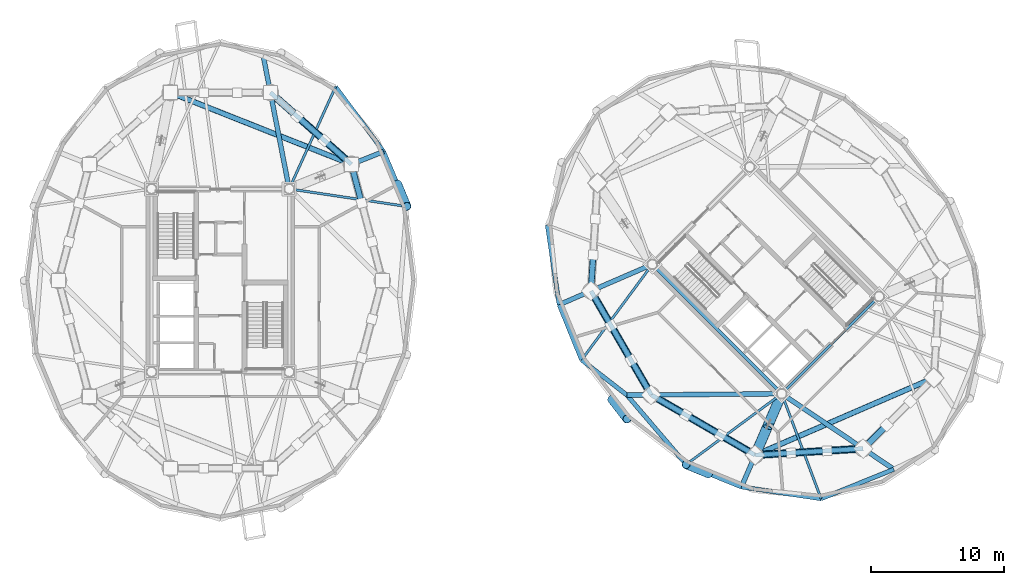
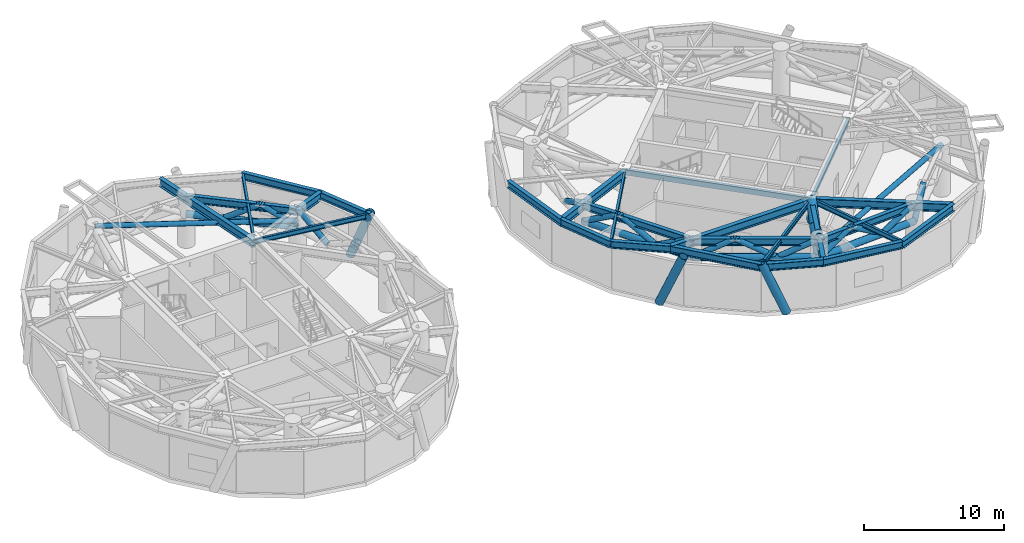
# One storey, part 3 of 16: 27 beams, 26 members.
"""IFC4 building model written with IfcOpenShell, lengths in metres."""

from ifc_helpers import new_model, si_unit, direction, frame, origin, origin_2d, place, context, subcontext, project, spatial, hollow_rectangle, hollow_circle, i_section, extrude, material, material_profile, profile_set, type_object, element, save


model = new_model("IFC4")

# Units and contexts
model_context = context("Model", 3, precision=1e-05, world=origin(), true_north=direction((0.0, 1.0)))
body_context = subcontext(model_context, "Body", "Model", "MODEL_VIEW")
ifc_project = project(units=[si_unit("LENGTHUNIT", "METRE"), si_unit("AREAUNIT", "SQUARE_METRE"), si_unit("VOLUMEUNIT", "CUBIC_METRE"), si_unit("PLANEANGLEUNIT", "RADIAN"), si_unit("MASSUNIT", "GRAM", prefix="KILO")], contexts=[model_context])

# Site, building, storey
site_placement = place(None, origin())
site = spatial("IfcSite", under=ifc_project, at=site_placement, CompositionType="ELEMENT")
building_placement = place(site_placement, origin())
building = spatial("IfcBuilding", under=site, at=building_placement, Name="Cununo Teusaquillo Station Towers", CompositionType="ELEMENT")
storey_placement = place(building_placement, frame((0.0, 0.0, 147.10009765625)))
storey = spatial("IfcBuildingStorey", under=building, at=storey_placement, Name="L46", CompositionType="ELEMENT", Elevation=147.10009765625)

# Beams
ifc_material_1 = material(Name="Steel EN 10025-2 S355J2", Category="steel")
ifc_material_profile_1 = material_profile(ifc_material_1, hollow_rectangle(XDim=0.25, YDim=0.449951171875, WallThickness=0.01611328125, at=origin_2d()), Name="RHS 450x250x16")
ifc_profile_set_1 = profile_set([ifc_material_profile_1], Name="Steel EN 10025-2 S355J2")
beam_type_1 = type_object("IfcBeamType", Name="BM-COUP-1", PredefinedType="USERDEFINED", material=ifc_profile_set_1)
beam_1_placement = place(storey_placement, frame((58.70556640625, 15.975830078125, 4.054931640625), z_axis=(-0.707106781187, 0.707106781187, 0.0), x_axis=(-0.707106781187, -0.707106781187, 0.0)))
element("IfcBeam", 1, at=beam_1_placement, inside=storey, type_object=beam_type_1, Name="L46 Tower B Core Beam 1", ObjectType="COUPLING BEAM", PredefinedType="USERDEFINED", context=body_context, shape_type="SweptSolid", body=[
    extrude(hollow_rectangle(XDim=0.25, YDim=0.449951171875, WallThickness=0.01611328125, at=origin_2d()), origin(), (0.0, 0.0, 1.0), 13.760009765625),
])
ifc_material_2 = material(Name="Steel ASTM A572 Grade 50", Category="steel")
ifc_material_profile_2 = material_profile(ifc_material_2, i_section(OverallWidth=0.180908203125, OverallDepth=0.4169921875, WebThickness=0.010986328125, FlangeThickness=0.018310546875, FilletRadius=0.012939453125, at=origin_2d()), Name="W16X57")
ifc_profile_set_2 = profile_set([ifc_material_profile_2], Name="Steel ASTM A572 Grade 50")
beam_type_2 = type_object("IfcBeamType", Name="BM-JOIST-1", PredefinedType="JOIST", material=ifc_profile_set_2)
beam_2_placement = place(storey_placement, frame((21.675048828125, 31.3798828125, 4.0712890625), z_axis=(0.989018754675, -0.147790063606, 0.0), x_axis=(0.147790063606, 0.989018754675, 0.0)))
element("IfcBeam", 2, at=beam_2_placement, inside=storey, type_object=beam_type_2, Name="L46 Tower A Radial Spandrel Joist V01", PredefinedType="JOIST", context=body_context, shape_type="SweptSolid", body=[
    extrude(i_section(OverallWidth=0.180908203125, OverallDepth=0.4169921875, WebThickness=0.010986328125, FlangeThickness=0.018310546875, FilletRadius=0.012939453125, at=origin_2d()), origin(), (0.0, 0.0, 1.0), 8.93701171875),
])
beam_3_placement = place(storey_placement, frame((21.675048828125, 31.3798828125, 4.0712890625), z_axis=(0.413558514621, 0.910477542274, 0.0), x_axis=(-0.910477542274, 0.413558514621, 0.0)))
element("IfcBeam", 3, at=beam_3_placement, inside=storey, type_object=beam_type_2, Name="L46 Tower A Radial Spandrel Joist V03", PredefinedType="JOIST", context=body_context, shape_type="SweptSolid", body=[
    extrude(i_section(OverallWidth=0.180908203125, OverallDepth=0.4169921875, WebThickness=0.010986328125, FlangeThickness=0.018310546875, FilletRadius=0.012939453125, at=origin_2d()), origin(), (0.0, 0.0, 1.0), 8.428955078125),
])
for number, where, z_axis, x_axis, name in (
    (4, (48.975830078125, 25.70556640625, 4.0712890625), (-0.594834179272, -0.803848430471, 0.0), (0.803848430471, -0.594834179272, 0.0), "L46 Tower B Radial Spandrel Joist V09"),
    (5, (58.70556640625, 15.975830078125, 4.0712890625), (-0.803848430471, -0.594834179272, 0.0), (0.594834179272, -0.803848430471, 0.0), "L46 Tower B Radial Spandrel Joist V11"),
):
    element("IfcBeam", number, at=place(storey_placement, frame(where, z_axis=z_axis, x_axis=x_axis)), inside=storey, type_object=beam_type_2, Name=name, PredefinedType="JOIST", context=body_context, shape_type="SweptSolid", body=[
        extrude(i_section(OverallWidth=0.180908203125, OverallDepth=0.4169921875, WebThickness=0.010986328125, FlangeThickness=0.018310546875, FilletRadius=0.012939453125, at=origin_2d()), origin(), (0.0, 0.0, 1.0), 8.936767578125),
    ])
beam_4_placement = place(storey_placement, frame((58.70556640625, 15.975830078125, 4.0712890625), z_axis=(0.351348805076, -0.936244635323, 0.0), x_axis=(0.936244635323, 0.351348805076, 0.0)))
element("IfcBeam", 6, at=beam_4_placement, inside=storey, type_object=beam_type_2, Name="L46 Tower B Radial Spandrel Joist V13", PredefinedType="JOIST", context=body_context, shape_type="SweptSolid", body=[
    extrude(i_section(OverallWidth=0.180908203125, OverallDepth=0.4169921875, WebThickness=0.010986328125, FlangeThickness=0.018310546875, FilletRadius=0.012939453125, at=origin_2d()), origin(), (0.0, 0.0, 1.0), 8.4287109375),
])
ifc_material_3 = material(Name="Steel ASTM A572 Grade 50", Category="steel")
ifc_material_profile_3 = material_profile(ifc_material_3, i_section(OverallWidth=0.2041015625, OverallDepth=0.35009765625, WebThickness=0.008544921875, FlangeThickness=0.01513671875, FilletRadius=0.011962890625, at=origin_2d()), Name="W14X48")
ifc_profile_set_3 = profile_set([ifc_material_profile_3], Name="Steel ASTM A572 Grade 50")
beam_type_3 = type_object("IfcBeamType", Name="BM-LINTEL-1", PredefinedType="LINTEL", material=ifc_profile_set_3)
beam_5_placement = place(storey_placement, frame((58.70556640625, 15.975830078125, 4.10498046875), z_axis=(0.707106781187, 0.707106781187, 0.0), x_axis=(-0.707106781187, 0.707106781187, 0.0)))
element("IfcBeam", 7, at=beam_5_placement, inside=storey, type_object=beam_type_3, Name="L46 Tower B Core Beam 3", PredefinedType="LINTEL", context=body_context, shape_type="SweptSolid", body=[
    extrude(i_section(OverallWidth=0.2041015625, OverallDepth=0.35009765625, WebThickness=0.008544921875, FlangeThickness=0.01513671875, FilletRadius=0.011962890625, at=origin_2d()), origin(), (0.0, 0.0, 1.0), 10.35009765625),
])
ifc_material_4 = material(Name="Steel ASTM A572 Grade 50", Category="steel")
ifc_material_profile_4 = material_profile(ifc_material_4, i_section(OverallWidth=0.35498046875, OverallDepth=0.696044921875, WebThickness=0.015380859375, FlangeThickness=0.02490234375, FilletRadius=0.01806640625, at=origin_2d()), Name="W27X146")
ifc_profile_set_4 = profile_set([ifc_material_profile_4], Name="Steel ASTM A572 Grade 50")
beam_type_4 = type_object("IfcBeamType", Name="BM-PLNT-G1", PredefinedType="BEAM", material=ifc_profile_set_4)
beam_6_placement = place(storey_placement, frame((26.347412109375, 33.228515625, 3.931884765625), z_axis=(0.929858677495, 0.367916892636, 0.0), x_axis=(-0.367916892636, 0.929858677495, 0.0)))
element("IfcBeam", 8, at=beam_6_placement, inside=storey, type_object=beam_type_4, Name="L46 Tower A Perimeter Overhang Girder 02B", PredefinedType="BEAM", context=body_context, shape_type="SweptSolid", body=[
    extrude(i_section(OverallWidth=0.35498046875, OverallDepth=0.696044921875, WebThickness=0.015380859375, FlangeThickness=0.02490234375, FilletRadius=0.01806640625, at=origin_2d()), origin(), (0.0, 0.0, 1.0), 2.607177734375),
])
beam_7_placement = place(storey_placement, frame((21.675048828125, 31.3798828125, 3.931884765625), z_axis=(-0.191552706487, 0.981482328235, 0.0), x_axis=(-0.981482328235, -0.191552706487, 0.0)))
element("IfcBeam", 9, at=beam_7_placement, inside=storey, type_object=beam_type_4, Name="L46 Tower A Continuous Overhanging Radial Girder 03", PredefinedType="BEAM", context=body_context, shape_type="SweptSolid", body=[
    extrude(i_section(OverallWidth=0.35498046875, OverallDepth=0.696044921875, WebThickness=0.015380859375, FlangeThickness=0.02490234375, FilletRadius=0.01806640625, at=origin_2d()), origin(), (0.0, 0.0, 1.0), 10.159423828125),
])
beam_8_placement = place(storey_placement, frame((48.975830078125, 25.70556640625, 3.931884765625), z_axis=(-0.917655964072, -0.397375806515, 0.0), x_axis=(0.397375806515, -0.917655964072, 0.0)))
element("IfcBeam", 10, at=beam_8_placement, inside=storey, type_object=beam_type_4, Name="L46 Tower B Continuous Overhanging Radial Girder 05", PredefinedType="BEAM", context=body_context, shape_type="SweptSolid", body=[
    extrude(i_section(OverallWidth=0.35498046875, OverallDepth=0.696044921875, WebThickness=0.015380859375, FlangeThickness=0.02490234375, FilletRadius=0.01806640625, at=origin_2d()), origin(), (0.0, 0.0, 1.0), 7.6318359375),
])
beam_9_placement = place(storey_placement, frame((58.70556640625, 15.975830078125, 3.931884765625), z_axis=(-0.999964431382, -0.008434214327, 0.0), x_axis=(0.008434214327, -0.999964431382, 0.0)))
element("IfcBeam", 11, at=beam_9_placement, inside=storey, type_object=beam_type_4, Name="L46 Tower B Radial Girder 06A", PredefinedType="BEAM", context=body_context, shape_type="SweptSolid", body=[
    extrude(i_section(OverallWidth=0.35498046875, OverallDepth=0.696044921875, WebThickness=0.015380859375, FlangeThickness=0.02490234375, FilletRadius=0.01806640625, at=origin_2d()), origin(), (0.0, 0.0, 1.0), 9.812744140625),
])
beam_10_placement = place(storey_placement, frame((48.89306640625, 15.89306640625, 3.931884765625), z_axis=(-0.999964580337, -0.008416535546, 0.0), x_axis=(0.008416535546, -0.999964580337, 0.0)))
element("IfcBeam", 12, at=beam_10_placement, inside=storey, type_object=beam_type_4, Name="L46 Tower B Perimeter Overhang Girder 06B", PredefinedType="BEAM", context=body_context, shape_type="SweptSolid", body=[
    extrude(i_section(OverallWidth=0.35498046875, OverallDepth=0.696044921875, WebThickness=0.015380859375, FlangeThickness=0.02490234375, FilletRadius=0.01806640625, at=origin_2d()), origin(), (0.0, 0.0, 1.0), 1.827392578125),
])
beam_11_placement = place(storey_placement, frame((58.70556640625, 15.975830078125, 3.931884765625), z_axis=(-0.397375806515, -0.917655964072, 0.0), x_axis=(0.917655964072, -0.397375806515, 0.0)))
element("IfcBeam", 13, at=beam_11_placement, inside=storey, type_object=beam_type_4, Name="L46 Tower B Continuous Overhanging Radial Girder 07", PredefinedType="BEAM", context=body_context, shape_type="SweptSolid", body=[
    extrude(i_section(OverallWidth=0.35498046875, OverallDepth=0.696044921875, WebThickness=0.015380859375, FlangeThickness=0.02490234375, FilletRadius=0.01806640625, at=origin_2d()), origin(), (0.0, 0.0, 1.0), 7.6318359375),
])
beam_12_placement = place(storey_placement, frame((58.70556640625, 15.975830078125, 3.931884765625), z_axis=(0.829456923219, -0.558570687133, 0.0), x_axis=(0.558570687133, 0.829456923219, 0.0)))
element("IfcBeam", 14, at=beam_12_placement, inside=storey, type_object=beam_type_4, Name="L46 Tower B Continuous Overhanging Radial Girder 08", PredefinedType="BEAM", context=body_context, shape_type="SweptSolid", body=[
    extrude(i_section(OverallWidth=0.35498046875, OverallDepth=0.696044921875, WebThickness=0.015380859375, FlangeThickness=0.02490234375, FilletRadius=0.01806640625, at=origin_2d()), origin(), (0.0, 0.0, 1.0), 10.1591796875),
])
ifc_material_5 = material(Name="Steel ASTM A572 Grade 50", Category="steel")
ifc_material_profile_5 = material_profile(ifc_material_5, i_section(OverallWidth=0.324951171875, OverallDepth=0.615966796875, WebThickness=0.013916015625, FlangeThickness=0.021484375, FilletRadius=0.01611328125, at=origin_2d()), Name="W24X117")
ifc_profile_set_5 = profile_set([ifc_material_profile_5], Name="Steel ASTM A572 Grade 50")
beam_type_5 = type_object("IfcBeamType", Name="BM-PLNT-G2", PredefinedType="BEAM", material=ifc_profile_set_5)
beam_13_placement = place(storey_placement, frame((26.347412109375, 33.228515625, 3.971923828125), z_axis=(-0.74832120039, 0.66333655187, 0.0), x_axis=(-0.66333655187, -0.74832120039, 0.0)))
element("IfcBeam", 15, at=beam_13_placement, inside=storey, type_object=beam_type_5, Name="L46 Tower A Structural Column Ring Girder 02", PredefinedType="BEAM", context=body_context, shape_type="SweptSolid", body=[
    extrude(i_section(OverallWidth=0.324951171875, OverallDepth=0.615966796875, WebThickness=0.013916015625, FlangeThickness=0.021484375, FilletRadius=0.01611328125, at=origin_2d()), origin(), (0.0, 0.0, 1.0), 8.1328125),
])
beam_14_placement = place(storey_placement, frame((30.513916015625, 30.05908203125, 3.971923828125), z_axis=(-0.388777827816, 0.921331536744, 0.0), x_axis=(-0.921331536744, -0.388777827816, 0.0)))
element("IfcBeam", 16, at=beam_14_placement, inside=storey, type_object=beam_type_5, Name="L46 Tower A Spandrel Ring Beam 02", PredefinedType="BEAM", context=body_context, shape_type="SweptSolid", body=[
    extrude(i_section(OverallWidth=0.324951171875, OverallDepth=0.615966796875, WebThickness=0.013916015625, FlangeThickness=0.021484375, FilletRadius=0.01611328125, at=origin_2d()), origin(), (0.0, 0.0, 1.0), 4.481201171875),
])
beam_15_placement = place(storey_placement, frame((28.771728515625, 34.187744140625, 3.971923828125), z_axis=(-0.595872908853, 0.803078748626, 0.0), x_axis=(-0.803078748626, -0.595872908853, 0.0)))
element("IfcBeam", 17, at=beam_15_placement, inside=storey, type_object=beam_type_5, Name="L46 Tower A Spandrel Ring Beam 03", PredefinedType="BEAM", context=body_context, shape_type="SweptSolid", body=[
    extrude(i_section(OverallWidth=0.324951171875, OverallDepth=0.615966796875, WebThickness=0.013916015625, FlangeThickness=0.021484375, FilletRadius=0.01611328125, at=origin_2d()), origin(), (0.0, 0.0, 1.0), 6.059814453125),
])
for number, where, z_axis, x_axis, name in (
    (18, (44.36474609375, 23.708984375, 3.971923828125), (0.501311121078, -0.865267103202, 0.0), (0.865267103202, 0.501311121078, 0.0), "L46 Tower B Structural Column Ring Girder 05"),
    (19, (48.89306640625, 15.89306640625, 3.971923828125), (0.865267103202, -0.501311121078, 0.0), (0.501311121078, 0.865267103202, 0.0), "L46 Tower B Structural Column Ring Girder 06"),
):
    element("IfcBeam", number, at=place(storey_placement, frame(where, z_axis=z_axis, x_axis=x_axis)), inside=storey, type_object=beam_type_5, Name=name, PredefinedType="BEAM", context=body_context, shape_type="SweptSolid", body=[
        extrude(i_section(OverallWidth=0.324951171875, OverallDepth=0.615966796875, WebThickness=0.013916015625, FlangeThickness=0.021484375, FilletRadius=0.01611328125, at=origin_2d()), origin(), (0.0, 0.0, 1.0), 9.032958984375),
    ])
beam_16_placement = place(storey_placement, frame((56.708984375, 11.36474609375, 3.971923828125), z_axis=(0.998190567048, 0.06012979176, 0.0), x_axis=(-0.06012979176, 0.998190567048, 0.0)))
element("IfcBeam", 20, at=beam_16_placement, inside=storey, type_object=beam_type_5, Name="L46 Tower B Structural Column Ring Girder 07", PredefinedType="BEAM", context=body_context, shape_type="SweptSolid", body=[
    extrude(i_section(OverallWidth=0.324951171875, OverallDepth=0.615966796875, WebThickness=0.013916015625, FlangeThickness=0.021484375, FilletRadius=0.01611328125, at=origin_2d()), origin(), (0.0, 0.0, 1.0), 8.132568359375),
])
beam_17_placement = place(storey_placement, frame((41.08447265625, 28.6669921875, 3.971923828125), z_axis=(0.146535519435, -0.989205409176, 0.0), x_axis=(0.989205409176, 0.146535519435, 0.0)))
element("IfcBeam", 21, at=beam_17_placement, inside=storey, type_object=beam_type_5, Name="L46 Tower B Spandrel Ring Beam 08", PredefinedType="BEAM", context=body_context, shape_type="SweptSolid", body=[
    extrude(i_section(OverallWidth=0.324951171875, OverallDepth=0.615966796875, WebThickness=0.013916015625, FlangeThickness=0.021484375, FilletRadius=0.01611328125, at=origin_2d()), origin(), (0.0, 0.0, 1.0), 6.0595703125),
])
beam_18_placement = place(storey_placement, frame((41.972412109375, 22.6728515625, 3.971923828125), z_axis=(0.376588942192, -0.926380466449, 0.0), x_axis=(0.926380466449, 0.376588942192, 0.0)))
element("IfcBeam", 22, at=beam_18_placement, inside=storey, type_object=beam_type_5, Name="L46 Tower B Spandrel Ring Beam 09", PredefinedType="BEAM", context=body_context, shape_type="SweptSolid", body=[
    extrude(i_section(OverallWidth=0.324951171875, OverallDepth=0.615966796875, WebThickness=0.013916015625, FlangeThickness=0.021484375, FilletRadius=0.01611328125, at=origin_2d()), origin(), (0.0, 0.0, 1.0), 4.48095703125),
])
beam_19_placement = place(storey_placement, frame((43.659912109375, 18.521728515625, 3.971923828125), z_axis=(0.789900716386, -0.613234749711, 0.0), x_axis=(0.613234749711, 0.789900716386, 0.0)))
element("IfcBeam", 23, at=beam_19_placement, inside=storey, type_object=beam_type_5, Name="L46 Tower B Spandrel Ring Beam 10", PredefinedType="BEAM", context=body_context, shape_type="SweptSolid", body=[
    extrude(i_section(OverallWidth=0.324951171875, OverallDepth=0.615966796875, WebThickness=0.013916015625, FlangeThickness=0.021484375, FilletRadius=0.01611328125, at=origin_2d()), origin(), (0.0, 0.0, 1.0), 4.3115234375),
])
beam_20_placement = place(storey_placement, frame((47.065673828125, 15.877685546875, 3.971923828125), z_axis=(0.64941898982, -0.760430782952, 0.0), x_axis=(0.760430782952, 0.64941898982, 0.0)))
element("IfcBeam", 24, at=beam_20_placement, inside=storey, type_object=beam_type_5, Name="L46 Tower B Spandrel Ring Beam 11", PredefinedType="BEAM", context=body_context, shape_type="SweptSolid", body=[
    extrude(i_section(OverallWidth=0.324951171875, OverallDepth=0.615966796875, WebThickness=0.013916015625, FlangeThickness=0.021484375, FilletRadius=0.01611328125, at=origin_2d()), origin(), (0.0, 0.0, 1.0), 6.861572265625),
])
beam_21_placement = place(storey_placement, frame((51.521728515625, 10.659912109375, 3.971923828125), z_axis=(0.926380466449, -0.376588942192, 0.0), x_axis=(0.376588942192, 0.926380466449, 0.0)))
element("IfcBeam", 25, at=beam_21_placement, inside=storey, type_object=beam_type_5, Name="L46 Tower B Spandrel Ring Beam 12", PredefinedType="BEAM", context=body_context, shape_type="SweptSolid", body=[
    extrude(i_section(OverallWidth=0.324951171875, OverallDepth=0.615966796875, WebThickness=0.013916015625, FlangeThickness=0.021484375, FilletRadius=0.01611328125, at=origin_2d()), origin(), (0.0, 0.0, 1.0), 4.48095703125),
])
beam_22_placement = place(storey_placement, frame((55.6728515625, 8.972412109375, 3.971923828125), z_axis=(0.989205409176, -0.146535519435, 0.0), x_axis=(0.146535519435, 0.989205409176, 0.0)))
element("IfcBeam", 26, at=beam_22_placement, inside=storey, type_object=beam_type_5, Name="L46 Tower B Spandrel Ring Beam 13", PredefinedType="BEAM", context=body_context, shape_type="SweptSolid", body=[
    extrude(i_section(OverallWidth=0.324951171875, OverallDepth=0.615966796875, WebThickness=0.013916015625, FlangeThickness=0.021484375, FilletRadius=0.01611328125, at=origin_2d()), origin(), (0.0, 0.0, 1.0), 6.0595703125),
])
beam_23_placement = place(storey_placement, frame((61.6669921875, 8.08447265625, 3.971923828125), z_axis=(0.926667183359, 0.375882869104, 0.0), x_axis=(-0.375882869104, 0.926667183359, 0.0)))
element("IfcBeam", 27, at=beam_23_placement, inside=storey, type_object=beam_type_5, Name="L46 Tower B Spandrel Ring Beam 14", PredefinedType="BEAM", context=body_context, shape_type="SweptSolid", body=[
    extrude(i_section(OverallWidth=0.324951171875, OverallDepth=0.615966796875, WebThickness=0.013916015625, FlangeThickness=0.021484375, FilletRadius=0.01611328125, at=origin_2d()), origin(), (0.0, 0.0, 1.0), 5.8974609375),
])

# Members
ifc_material_6 = material(Name="Steel EN 10025-2 S355J2", Category="steel")
ifc_material_profile_6 = material_profile(ifc_material_6, hollow_circle(Radius=0.279541015625, WallThickness=0.02001953125, at=origin_2d()), Name="CHS 559x20")
ifc_profile_set_6 = profile_set([ifc_material_profile_6], Name="Steel EN 10025-2 S355J2")
member_type_1 = type_object("IfcMemberType", Name="MBR-BELT-CH", PredefinedType="CHORD", material=ifc_profile_set_6)
member_1_placement = place(storey_placement, frame((26.347412109375, 33.228515625, 2.579833984375), z_axis=(-0.74832120039, 0.66333655187, 0.0), x_axis=(-0.66333655187, -0.74832120039, 0.0)))
element("IfcMember", 28, at=member_1_placement, inside=storey, type_object=member_type_1, Name="L46 Tower A Belt Truss Lower Chord 02", PredefinedType="CHORD", context=body_context, shape_type="SweptSolid", body=[
    extrude(hollow_circle(Radius=0.279541015625, WallThickness=0.02001953125, at=origin_2d()), origin(), (0.0, 0.0, 1.0), 8.1328125),
])
for number, where, z_axis, x_axis, name in (
    (29, (44.36474609375, 23.708984375, 2.579833984375), (0.501311121078, -0.865267103202, 0.0), (0.865267103202, 0.501311121078, 0.0), "L46 Tower B Belt Truss Lower Chord 05"),
    (30, (48.89306640625, 15.89306640625, 2.579833984375), (0.865267103202, -0.501311121078, 0.0), (0.501311121078, 0.865267103202, 0.0), "L46 Tower B Belt Truss Lower Chord 06"),
):
    element("IfcMember", number, at=place(storey_placement, frame(where, z_axis=z_axis, x_axis=x_axis)), inside=storey, type_object=member_type_1, Name=name, PredefinedType="CHORD", context=body_context, shape_type="SweptSolid", body=[
        extrude(hollow_circle(Radius=0.279541015625, WallThickness=0.02001953125, at=origin_2d()), origin(), (0.0, 0.0, 1.0), 9.032958984375),
    ])
member_2_placement = place(storey_placement, frame((56.708984375, 11.36474609375, 2.579833984375), z_axis=(0.998190567048, 0.06012979176, 0.0), x_axis=(-0.06012979176, 0.998190567048, 0.0)))
element("IfcMember", 31, at=member_2_placement, inside=storey, type_object=member_type_1, Name="L46 Tower B Belt Truss Lower Chord 07", PredefinedType="CHORD", context=body_context, shape_type="SweptSolid", body=[
    extrude(hollow_circle(Radius=0.279541015625, WallThickness=0.02001953125, at=origin_2d()), origin(), (0.0, 0.0, 1.0), 8.132568359375),
])
ifc_material_7 = material(Name="Steel EN 10025-2 S355J2", Category="steel")
ifc_material_profile_7 = material_profile(ifc_material_7, hollow_circle(Radius=0.228515625, WallThickness=0.01611328125, at=origin_2d()), Name="CHS 457x16")
ifc_profile_set_7 = profile_set([ifc_material_profile_7], Name="Steel EN 10025-2 S355J2")
member_type_2 = type_object("IfcMemberType", Name="MBR-BELT-WB", PredefinedType="BRACE", material=ifc_profile_set_7)
member_3_placement = place(storey_placement, frame((27.122314453125, 30.319091796875, 2.579833984375), z_axis=(-0.226641644254, 0.850941548387, 0.473848125795), x_axis=(-0.96631295405, -0.257369918281, 0.0)))
element("IfcMember", 32, at=member_3_placement, inside=storey, type_object=member_type_2, Name="L46 Tower A Belt Truss Warren Brace 01C", PredefinedType="BRACE", context=body_context, shape_type="SweptSolid", body=[
    extrude(hollow_circle(Radius=0.228515625, WallThickness=0.01611328125, at=origin_2d()), origin(), (0.0, 0.0, 1.0), 3.4189453125),
])
member_4_placement = place(storey_placement, frame((26.347412109375, 33.228515625, 2.579833984375), z_axis=(-0.642373252404, 0.569400887751, 0.512970987118), x_axis=(-0.663323560468, -0.748332716195, 0.0)))
element("IfcMember", 33, at=member_4_placement, inside=storey, type_object=member_type_2, Name="L46 Tower A Belt Truss Warren Brace 02A", PredefinedType="BRACE", context=body_context, shape_type="SweptSolid", body=[
    extrude(hollow_circle(Radius=0.228515625, WallThickness=0.01611328125, at=origin_2d()), origin(), (0.0, 0.0, 1.0), 3.158203125),
])
for number, where, z_axis, x_axis, name in (
    (34, (24.318603515625, 35.02685546875, 4.199951171875), (-0.642356120699, 0.56937692008, -0.513019041636), (-0.663317831046, -0.748337794727, 0.0), "L46 Tower A Belt Truss Warren Brace 02B"),
    (35, (44.52783203125, 26.414794921875, 2.579833984375), (-0.051642615942, -0.856819030674, 0.513024549991), (0.998188547466, -0.060163308645, 0.0), "L46 Tower B Belt Truss Warren Brace 04C"),
):
    element("IfcMember", number, at=place(storey_placement, frame(where, z_axis=z_axis, x_axis=x_axis)), inside=storey, type_object=member_type_2, Name=name, PredefinedType="BRACE", context=body_context, shape_type="SweptSolid", body=[
        extrude(hollow_circle(Radius=0.228515625, WallThickness=0.01611328125, at=origin_2d()), origin(), (0.0, 0.0, 1.0), 3.157958984375),
    ])
member_5_placement = place(storey_placement, frame((44.36474609375, 23.708984375, 2.579833984375), z_axis=(0.441465440579, -0.761979489221, 0.473809584939), x_axis=(0.865268964153, 0.501307909048, 0.0)))
element("IfcMember", 36, at=member_5_placement, inside=storey, type_object=member_type_2, Name="L46 Tower B Belt Truss Warren Brace 05A", PredefinedType="BRACE", context=body_context, shape_type="SweptSolid", body=[
    extrude(hollow_circle(Radius=0.228515625, WallThickness=0.01611328125, at=origin_2d()), origin(), (0.0, 0.0, 1.0), 3.41943359375),
])
member_6_placement = place(storey_placement, frame((45.874267578125, 21.103515625, 4.199951171875), z_axis=(0.441431970485, -0.761973561476, -0.473850300249), x_axis=(0.865283758706, 0.501282372441, 0.0)))
element("IfcMember", 37, at=member_6_placement, inside=storey, type_object=member_type_2, Name="L46 Tower B Belt Truss Warren Brace 05B", PredefinedType="BRACE", context=body_context, shape_type="SweptSolid", body=[
    extrude(hollow_circle(Radius=0.228515625, WallThickness=0.01611328125, at=origin_2d()), origin(), (0.0, 0.0, 1.0), 3.4189453125),
])
for number, where, z_axis, x_axis, name in (
    (38, (47.383544921875, 18.498291015625, 2.579833984375), (0.441489459448, -0.761949542579, 0.47383536356), (0.86524858622, 0.50134308018, 0.0), "L46 Tower B Belt Truss Warren Brace 05C"),
    (39, (48.89306640625, 15.89306640625, 2.579833984375), (0.761949542579, -0.441489459448, 0.47383536356), (0.50134308018, 0.86524858622, 0.0), "L46 Tower B Belt Truss Warren Brace 06A"),
):
    element("IfcMember", number, at=place(storey_placement, frame(where, z_axis=z_axis, x_axis=x_axis)), inside=storey, type_object=member_type_2, Name=name, PredefinedType="BRACE", context=body_context, shape_type="SweptSolid", body=[
        extrude(hollow_circle(Radius=0.228515625, WallThickness=0.01611328125, at=origin_2d()), origin(), (0.0, 0.0, 1.0), 3.419189453125),
    ])
member_7_placement = place(storey_placement, frame((51.498291015625, 14.383544921875, 4.199951171875), z_axis=(0.761973561476, -0.441431970485, -0.473850300249), x_axis=(0.501282372441, 0.865283758706, 0.0)))
element("IfcMember", 40, at=member_7_placement, inside=storey, type_object=member_type_2, Name="L46 Tower B Belt Truss Warren Brace 06B", PredefinedType="BRACE", context=body_context, shape_type="SweptSolid", body=[
    extrude(hollow_circle(Radius=0.228515625, WallThickness=0.01611328125, at=origin_2d()), origin(), (0.0, 0.0, 1.0), 3.4189453125),
])
member_8_placement = place(storey_placement, frame((54.103515625, 12.874267578125, 2.579833984375), z_axis=(0.761979489221, -0.441465440579, 0.473809584939), x_axis=(0.501307909048, 0.865268964153, 0.0)))
element("IfcMember", 41, at=member_8_placement, inside=storey, type_object=member_type_2, Name="L46 Tower B Belt Truss Warren Brace 06C", PredefinedType="BRACE", context=body_context, shape_type="SweptSolid", body=[
    extrude(hollow_circle(Radius=0.228515625, WallThickness=0.01611328125, at=origin_2d()), origin(), (0.0, 0.0, 1.0), 3.41943359375),
])
member_9_placement = place(storey_placement, frame((56.708984375, 11.36474609375, 2.579833984375), z_axis=(0.856819030674, 0.051642615942, 0.513024549991), x_axis=(-0.060163308645, 0.998188547466, 0.0)))
element("IfcMember", 42, at=member_9_placement, inside=storey, type_object=member_type_2, Name="L46 Tower B Belt Truss Warren Brace 07A", PredefinedType="BRACE", context=body_context, shape_type="SweptSolid", body=[
    extrude(hollow_circle(Radius=0.228515625, WallThickness=0.01611328125, at=origin_2d()), origin(), (0.0, 0.0, 1.0), 3.157958984375),
])
for number, where, z_axis, x_axis, name in (
    (43, (59.414794921875, 11.52783203125, 4.199951171875), (0.856843000073, 0.051562096811, -0.512992615345), (-0.060068168794, 0.998194277232, 0.0), "L46 Tower B Belt Truss Warren Brace 07B"),
    (44, (62.120849609375, 11.690673828125, 2.579833984375), (0.856839582173, 0.051639195317, 0.512990569045), (-0.060157900347, 0.998188873423, 0.0), "L46 Tower B Belt Truss Warren Brace 07C"),
):
    element("IfcMember", number, at=place(storey_placement, frame(where, z_axis=z_axis, x_axis=x_axis)), inside=storey, type_object=member_type_2, Name=name, PredefinedType="BRACE", context=body_context, shape_type="SweptSolid", body=[
        extrude(hollow_circle(Radius=0.228515625, WallThickness=0.01611328125, at=origin_2d()), origin(), (0.0, 0.0, 1.0), 3.158203125),
    ])
member_10_placement = place(storey_placement, frame((64.826904296875, 11.853759765625, 2.579833984375), z_axis=(0.593964025737, 0.593882246304, 0.542688320913), x_axis=(-0.707058097461, 0.707155461561, 0.0)))
element("IfcMember", 45, at=member_10_placement, inside=storey, type_object=member_type_2, Name="L46 Tower B Belt Truss Warren Brace 08A", PredefinedType="BRACE", context=body_context, shape_type="SweptSolid", body=[
    extrude(hollow_circle(Radius=0.228515625, WallThickness=0.01611328125, at=origin_2d()), origin(), (0.0, 0.0, 1.0), 2.9853515625),
])
ifc_material_8 = material(Name="Steel EN 10025-2 S355J2", Category="steel")
ifc_material_profile_8 = material_profile(ifc_material_8, hollow_circle(Radius=0.202880859375, WallThickness=0.01611328125, at=origin_2d()), Name="CHS 406x16")
ifc_profile_set_8 = profile_set([ifc_material_profile_8], Name="Steel EN 10025-2 S355J2")
member_type_3 = type_object("IfcMemberType", Name="MBR-BRG-WB", PredefinedType="BRACE", material=ifc_profile_set_8)
member_11_placement = place(storey_placement, frame((26.347412109375, 33.228515625, 3.14990234375), z_axis=(-0.927416562734, 0.367642420199, 0.068830008253), x_axis=(-0.368516392664, -0.929621249939, 0.0)))
element("IfcMember", 46, at=member_11_placement, inside=storey, type_object=member_type_3, Name="L46 Tower A Bridge Zone Tie Brace 1", PredefinedType="BRACE", context=body_context, shape_type="SweptSolid", body=[
    extrude(hollow_circle(Radius=0.202880859375, WallThickness=0.01611328125, at=origin_2d()), origin(), (0.0, 0.0, 1.0), 14.674072265625),
])
member_12_placement = place(storey_placement, frame((56.708984375, 11.36474609375, 3.14990234375), z_axis=(0.915738635239, 0.395834551336, 0.068831387452), x_axis=(-0.396775580971, 0.917915648818, 0.0)))
element("IfcMember", 47, at=member_12_placement, inside=storey, type_object=member_type_3, Name="L46 Tower B Bridge Zone Tie Brace 2", PredefinedType="BRACE", context=body_context, shape_type="SweptSolid", body=[
    extrude(hollow_circle(Radius=0.202880859375, WallThickness=0.01611328125, at=origin_2d()), origin(), (0.0, 0.0, 1.0), 14.673583984375),
])
ifc_material_9 = material(Name="Steel EN 10025-2 S355J2", Category="steel")
ifc_material_profile_9 = material_profile(ifc_material_9, hollow_circle(Radius=0.330078125, WallThickness=0.02490234375, at=origin_2d()), Name="CHS 660x25")
ifc_profile_set_9 = profile_set([ifc_material_profile_9], Name="Steel EN 10025-2 S355J2")
member_type_4 = type_object("IfcMemberType", Name="MBR-DIAG-Z2", PredefinedType="BRACE", material=ifc_profile_set_9)
member_13_placement = place(storey_placement, frame((29.816162109375, 31.73095703125, -0.14013671875), z_axis=(0.14383766087, -0.34464671156, 0.927647223639), x_axis=(0.922853492417, 0.385151180101, 0.0)))
element("IfcMember", 48, at=member_13_placement, inside=storey, type_object=member_type_4, Name="L46 Tower A Folded-Zigzag Diagrid Tube C01", PredefinedType="BRACE", context=body_context, shape_type="SweptSolid", body=[
    extrude(hollow_circle(Radius=0.330078125, WallThickness=0.02490234375, at=origin_2d()), origin(), (0.0, 0.0, 1.0), 4.85107421875),
])
member_14_placement = place(storey_placement, frame((45.9404296875, 15.56103515625, -0.14013671875), z_axis=(0.234042935494, -0.303789834703, 0.923545148153), x_axis=(0.792172058545, 0.610297820462, 0.0)))
element("IfcMember", 49, at=member_14_placement, inside=storey, type_object=member_type_4, Name="L46 Tower B Folded-Zigzag Diagrid Tube C09", PredefinedType="BRACE", context=body_context, shape_type="SweptSolid", body=[
    extrude(hollow_circle(Radius=0.330078125, WallThickness=0.02490234375, at=origin_2d()), origin(), (0.0, 0.0, 1.0), 4.87255859375),
])
member_15_placement = place(storey_placement, frame((53.197021484375, 9.970947265625, -0.14013671875), z_axis=(-0.345356789508, 0.142028105507, 0.927661956311), x_axis=(-0.380343042419, -0.924845484437, 0.0)))
element("IfcMember", 50, at=member_15_placement, inside=storey, type_object=member_type_4, Name="L46 Tower B Folded-Zigzag Diagrid Tube C11", PredefinedType="BRACE", context=body_context, shape_type="SweptSolid", body=[
    extrude(hollow_circle(Radius=0.330078125, WallThickness=0.02490234375, at=origin_2d()), origin(), (0.0, 0.0, 1.0), 4.850830078125),
])
ifc_material_10 = material(Name="Steel EN 10025-2 S355J2", Category="steel")
ifc_material_profile_10 = material_profile(ifc_material_10, hollow_circle(Radius=0.3798828125, WallThickness=0.031982421875, at=origin_2d()), Name="CHS 760x32")
ifc_profile_set_10 = profile_set([ifc_material_profile_10], Name="Steel EN 10025-2 S355J2")
member_type_5 = type_object("IfcMemberType", Name="MBR-OUTR-1", PredefinedType="STRUT", material=ifc_profile_set_10)
member_16_placement = place(storey_placement, frame((58.70556640625, 15.975830078125, 2.579833984375), z_axis=(-0.37817570547, -0.873392583665, 0.306868914343), x_axis=(0.917668443616, -0.397346986387, 0.0)))
element("IfcMember", 51, at=member_16_placement, inside=storey, type_object=member_type_5, Name="L46 Tower B Outrigger Continuous Diagonal 3A", PredefinedType="STRUT", context=body_context, shape_type="SweptSolid", body=[
    extrude(hollow_circle(Radius=0.3798828125, WallThickness=0.031982421875, at=origin_2d()), origin(), (0.0, 0.0, 1.0), 5.279541015625),
])
member_17_placement = place(storey_placement, frame((58.70556640625, 15.975830078125, 4.199951171875), z_axis=(-0.378156220238, -0.873411662832, -0.306838622609), x_axis=(0.917679073326, -0.39732243629, 0.0)))
element("IfcMember", 52, at=member_17_placement, inside=storey, type_object=member_type_5, Name="L46 Tower B Outrigger Split Upper Strut 3B1", PredefinedType="STRUT", context=body_context, shape_type="SweptSolid", body=[
    extrude(hollow_circle(Radius=0.3798828125, WallThickness=0.031982421875, at=origin_2d()), origin(), (0.0, 0.0, 1.0), 2.399658203125),
])
member_18_placement = place(storey_placement, frame((57.616455078125, 13.460693359375, 3.31640625), z_axis=(-0.378144413998, -0.873384394451, -0.30693077671), x_axis=(0.917679073326, -0.39732243629, 0.0)))
element("IfcMember", 53, at=member_18_placement, inside=storey, type_object=member_type_5, Name="L46 Tower B Outrigger Split Lower Strut 3B2", PredefinedType="STRUT", context=body_context, shape_type="SweptSolid", body=[
    extrude(hollow_circle(Radius=0.3798828125, WallThickness=0.031982421875, at=origin_2d()), origin(), (0.0, 0.0, 1.0), 2.39990234375),
])

save(model, "model.ifc")
